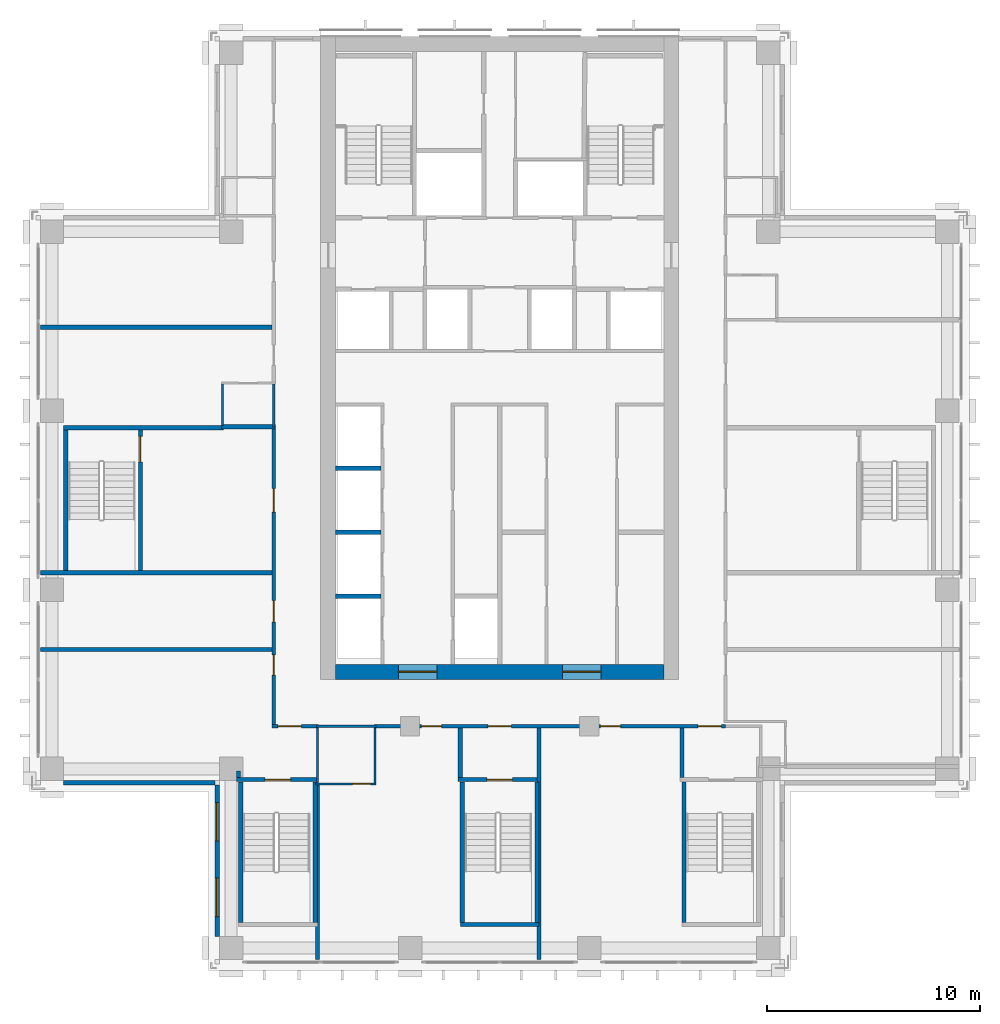
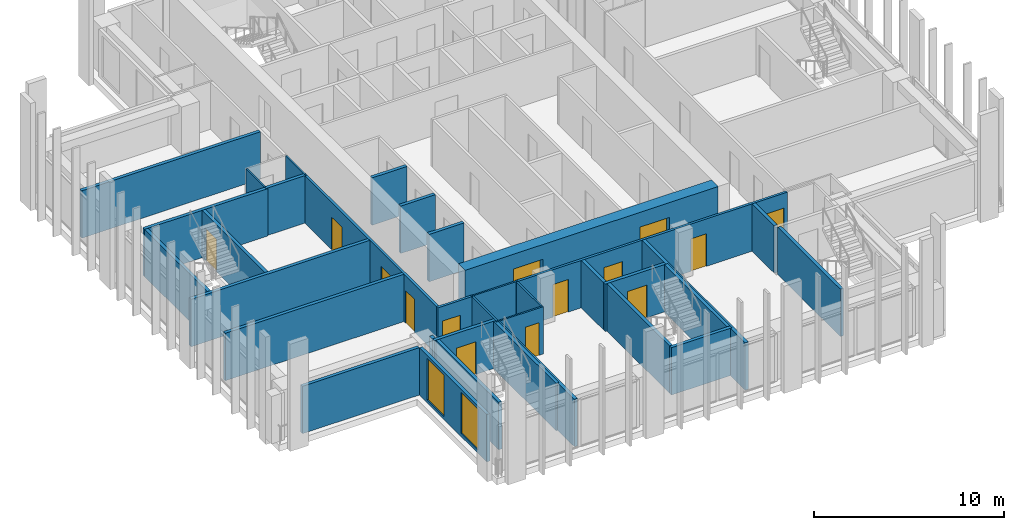
# One storey, part 9 of 16: 35 walls, 14 doors, 2 windows, 16 openings.
"""IFC4 building model written with IfcOpenShell, lengths in metres."""

from ifc_helpers import new_model, si_unit, direction, frame, frame_2d, origin, place, context, subcontext, project, spatial, rectangle, extrude, material, layer, layer_set, type_object, element, fill, save


model = new_model("IFC4")

# Units and contexts
model_context = context("Model", 3, precision=1e-05, world=origin(), true_north=direction((0.0, 1.0)))
body_context = subcontext(model_context, "Body", "Model", "MODEL_VIEW")
ifc_project = project(units=[si_unit("LENGTHUNIT", "METRE"), si_unit("AREAUNIT", "SQUARE_METRE"), si_unit("VOLUMEUNIT", "CUBIC_METRE"), si_unit("PLANEANGLEUNIT", "RADIAN"), si_unit("MASSUNIT", "GRAM", prefix="KILO")], contexts=[model_context])

# Site, building, storey
site_placement = place(None, origin())
site = spatial("IfcSite", under=ifc_project, at=site_placement, CompositionType="ELEMENT")
building_placement = place(site_placement, origin())
building = spatial("IfcBuilding", under=site, at=building_placement, Name="Vermilion Ogive Tower", CompositionType="ELEMENT")
storey_placement = place(building_placement, frame((0.0, 0.0, 143.449951171875)))
storey = spatial("IfcBuildingStorey", under=building, at=storey_placement, Name="L36", CompositionType="ELEMENT", Elevation=143.449951171875)

# Wall, openings, doors
ifc_material_1 = material(Name="Concrete B60", Category="concrete")
ifc_layer_1 = layer(ifc_material_1, 0.699951171875)
ifc_layer_set_1 = layer_set([ifc_layer_1], Name="Core wall 700 B60")
wall_type_1 = type_object("IfcWallType", Name="Core wall 700 B60", PredefinedType="SHEAR", material=ifc_layer_set_1)
wall_1_placement = place(storey_placement, frame((-7.699951171875, -8.050048828125, -0.39990234375), z_axis=(0.0, 0.0, 1.0), x_axis=(1.0, 0.0, 0.0)))
wall_1 = element("IfcWall", 1, at=wall_1_placement, inside=storey, type_object=wall_type_1, Name="L36-CORE-S", PredefinedType="SHEAR", context=body_context, shape_type="SweptSolid", body=[
    extrude(rectangle(XDim=15.39990234375, YDim=0.699951171875, at=frame_2d((7.699951171875, 0.0))), origin(), (0.0, 0.0, 1.0), 3.449951171875),
])
opening_1_placement = place(wall_1_placement, frame((2.949951171875, 0.0, 0.39990234375)))
opening_1 = element("IfcOpeningElement", 2, at=opening_1_placement, cuts=wall_1, Name="Opening DAH027", PredefinedType="OPENING", context=body_context, shape_type="SweptSolid", body=[
    extrude(rectangle(XDim=1.800048828125, YDim=2.10009765625, at=frame_2d((0.89990234375, 1.050048828125))), frame((0.0, 0.35986328125, 0.0), z_axis=(0.0, -1.0, 0.0), x_axis=(1.0, 0.0, 0.0)), (0.0, 0.0, 1.0), 0.719970703125),
])
opening_2_placement = place(wall_1_placement, frame((10.64990234375, 0.0, 0.39990234375)))
opening_2 = element("IfcOpeningElement", 3, at=opening_2_placement, cuts=wall_1, Name="Opening DAH028", PredefinedType="OPENING", context=body_context, shape_type="SweptSolid", body=[
    extrude(rectangle(XDim=1.800048828125, YDim=2.10009765625, at=frame_2d((0.89990234375, 1.050048828125))), frame((0.0, 0.35986328125, 0.0), z_axis=(0.0, -1.0, 0.0), x_axis=(1.0, 0.0, 0.0)), (0.0, 0.0, 1.0), 0.719970703125),
])
ifc_material_2 = material(Name="Timber door leaf", Category="wood")
door_type_1 = type_object("IfcDoorType", Name="Core entry door 1800 x 2100 FD60S", OperationType="DOUBLE_DOOR_SINGLE_SWING", PredefinedType="DOOR", material=ifc_material_2)
door_1_placement = place(opening_1_placement, origin())
door_1 = element("IfcDoor", 4, at=door_1_placement, inside=storey, type_object=door_type_1, Name="L36-CK-XD1", OperationType="SINGLE_SWING_LEFT", OverallHeight=2.10009765625, OverallWidth=1.800048828125, PredefinedType="DOOR", context=body_context, shape_type="SweptSolid", body=[
    extrude(rectangle(XDim=1.800048828125, YDim=2.10009765625, at=frame_2d((0.89990234375, 1.050048828125))), frame((0.0, 0.02490234375, 0.0), z_axis=(0.0, -1.0, 0.0), x_axis=(1.0, 0.0, 0.0)), (0.0, 0.0, 1.0), 0.050048828125),
])
fill(opening_1, door_1)
door_2_placement = place(opening_2_placement, origin())
door_2 = element("IfcDoor", 5, at=door_2_placement, inside=storey, type_object=door_type_1, Name="L36-CK-XD2", OperationType="SINGLE_SWING_LEFT", OverallHeight=2.10009765625, OverallWidth=1.800048828125, PredefinedType="DOOR", context=body_context, shape_type="SweptSolid", body=[
    extrude(rectangle(XDim=1.800048828125, YDim=2.10009765625, at=frame_2d((0.89990234375, 1.050048828125))), frame((0.0, 0.02490234375, 0.0), z_axis=(0.0, -1.0, 0.0), x_axis=(1.0, 0.0, 0.0)), (0.0, 0.0, 1.0), 0.050048828125),
])
fill(opening_2, door_2)

# Wall, opening, door
ifc_material_3 = material(Name="Gypsum board partition on steel studs", Category="steel")
ifc_layer_2 = layer(ifc_material_3, 0.10009765625)
ifc_layer_set_2 = layer_set([ifc_layer_2], Name="Partition 100 bath")
wall_type_2 = type_object("IfcWallType", Name="Partition 100 bath", PredefinedType="PARTITIONING", material=ifc_layer_set_2)
wall_2_placement = place(storey_placement, frame((-8.64990234375, -13.300048828125, 0.0), z_axis=(0.0, 0.0, 1.0), x_axis=(1.0, 0.0, 0.0)))
wall_2 = element("IfcWall", 6, at=wall_2_placement, inside=storey, type_object=wall_type_2, Name="L36-W-W004", PredefinedType="PARTITIONING", context=body_context, shape_type="SweptSolid", body=[
    extrude(rectangle(XDim=2.847900390625, YDim=0.10009765625, at=frame_2d((1.423828125, 0.0))), origin(), (0.0, 0.0, 1.0), 3.050048828125),
])
opening_3_placement = place(wall_2_placement, frame((1.75, 0.0, 0.0)))
opening_3 = element("IfcOpeningElement", 7, at=opening_3_placement, cuts=wall_2, Name="Opening D3G2008", PredefinedType="OPENING", context=body_context, shape_type="SweptSolid", body=[
    extrude(rectangle(XDim=0.85009765625, YDim=2.10009765625, at=frame_2d((0.425048828125, 1.050048828125))), frame((0.0, 0.06005859375, 0.0), z_axis=(0.0, -1.0, 0.0), x_axis=(1.0, 0.0, 0.0)), (0.0, 0.0, 1.0), 0.1201171875),
])
ifc_material_4 = material(Name="Timber door leaf", Category="wood")
door_type_2 = type_object("IfcDoorType", Name="Bath door 850 x 2100 FD30", OperationType="SINGLE_SWING_LEFT", PredefinedType="DOOR", material=ifc_material_4)
door_3_placement = place(opening_3_placement, origin())
door_3 = element("IfcDoor", 8, at=door_3_placement, inside=storey, type_object=door_type_2, Name="L36-D-D008", OperationType="SINGLE_SWING_RIGHT", OverallHeight=2.10009765625, OverallWidth=0.85009765625, PredefinedType="DOOR", context=body_context, shape_type="SweptSolid", body=[
    extrude(rectangle(XDim=0.85009765625, YDim=2.10009765625, at=frame_2d((0.425048828125, 1.050048828125))), frame((0.0, 0.02490234375, 0.0), z_axis=(0.0, -1.0, 0.0), x_axis=(1.0, 0.0, 0.0)), (0.0, 0.0, 1.0), 0.050048828125),
])
fill(opening_3, door_3)

# Walls
wall_3_placement = place(storey_placement, frame((-8.60009765625, -10.60009765625, 0.0), z_axis=(0.0, 0.0, 1.0), x_axis=(1.0, 0.0, 0.0)))
element("IfcWall", 9, at=wall_3_placement, inside=storey, type_object=wall_type_2, Name="L36-W-W011", PredefinedType="PARTITIONING", context=body_context, shape_type="SweptSolid", body=[
    extrude(rectangle(XDim=2.800048828125, YDim=0.10009765625, at=frame_2d((1.39990234375, 0.0))), origin(), (0.0, 0.0, 1.0), 3.050048828125),
])
wall_4_placement = place(storey_placement, frame((-13.0, 3.5, 0.0), z_axis=(0.0, 0.0, 1.0), x_axis=(0.0, 1.0, 0.0)))
element("IfcWall", 10, at=wall_4_placement, inside=storey, type_object=wall_type_2, Name="L36-W-W035", PredefinedType="PARTITIONING", context=body_context, shape_type="SweptSolid", body=[
    extrude(rectangle(XDim=1.947998046875, YDim=0.10009765625, at=frame_2d((0.97412109375, 0.0))), origin(), (0.0, 0.0, 1.0), 3.050048828125),
])
wall_5_placement = place(storey_placement, frame((-10.60009765625, 3.449951171875, 0.0), z_axis=(0.0, 0.0, 1.0), x_axis=(0.0, 1.0, 0.0)))
element("IfcWall", 11, at=wall_5_placement, inside=storey, type_object=wall_type_2, Name="L36-W-W040", PredefinedType="PARTITIONING", context=body_context, shape_type="SweptSolid", body=[
    extrude(rectangle(XDim=2.0, YDim=0.10009765625, at=frame_2d((1.0, 0.0))), origin(), (0.0, 0.0, 1.0), 3.050048828125),
])
wall_6_placement = place(storey_placement, frame((-8.550048828125, -13.25, 0.0), z_axis=(0.0, 0.0, 1.0), x_axis=(0.0, 1.0, 0.0)))
element("IfcWall", 12, at=wall_6_placement, inside=storey, type_object=wall_type_2, Name="L36-W-W046", PredefinedType="PARTITIONING", context=body_context, shape_type="SweptSolid", body=[
    extrude(rectangle(XDim=2.574951171875, YDim=0.10009765625, at=frame_2d((1.28759765625, 0.0))), origin(), (0.0, 0.0, 1.0), 3.050048828125),
])
wall_7_placement = place(storey_placement, frame((-5.85009765625, -13.248046875, 0.0), z_axis=(0.0, 0.0, 1.0), x_axis=(0.0, 1.0, 0.0)))
element("IfcWall", 13, at=wall_7_placement, inside=storey, type_object=wall_type_2, Name="L36-W-W047", PredefinedType="PARTITIONING", context=body_context, shape_type="SweptSolid", body=[
    extrude(rectangle(XDim=2.572998046875, YDim=0.10009765625, at=frame_2d((1.28662109375, 0.0))), origin(), (0.0, 0.0, 1.0), 3.050048828125),
])

# Wall, opening, door
ifc_material_5 = material(Name="Gypsum board partition on steel studs", Category="steel")
ifc_layer_3 = layer(ifc_material_5, 0.14990234375)
ifc_layer_set_3 = layer_set([ifc_layer_3], Name="Partition 150 corridor")
wall_type_3 = type_object("IfcWallType", Name="Partition 150 corridor", PredefinedType="PARTITIONING", material=ifc_layer_set_3)
wall_8_placement = place(storey_placement, frame((-10.675048828125, -10.60009765625, 0.0), z_axis=(0.0, 0.0, 1.0), x_axis=(1.0, 0.0, 0.0)))
wall_8 = element("IfcWall", 14, at=wall_8_placement, inside=storey, type_object=wall_type_3, Name="L36-W-W010", PredefinedType="PARTITIONING", context=body_context, shape_type="SweptSolid", body=[
    extrude(rectangle(XDim=2.175048828125, YDim=0.14990234375, at=frame_2d((1.08740234375, 0.0))), origin(), (0.0, 0.0, 1.0), 3.050048828125),
])
opening_4_placement = place(wall_8_placement, frame((0.275146484375, 0.0, 0.0)))
opening_4 = element("IfcOpeningElement", 15, at=opening_4_placement, cuts=wall_8, Name="Opening D3G2017", PredefinedType="OPENING", context=body_context, shape_type="SweptSolid", body=[
    extrude(rectangle(XDim=1.10009765625, YDim=2.10009765625, at=frame_2d((0.550048828125, 1.050048828125))), frame((0.0, 0.0849609375, 0.0), z_axis=(0.0, -1.0, 0.0), x_axis=(1.0, 0.0, 0.0)), (0.0, 0.0, 1.0), 0.169921875),
])
ifc_material_6 = material(Name="Timber door leaf", Category="wood")
door_type_3 = type_object("IfcDoorType", Name="Stair door 1100 x 2100 FD60S", OperationType="SINGLE_SWING_LEFT", PredefinedType="DOOR", material=ifc_material_6)
door_4_placement = place(opening_4_placement, origin())
door_4 = element("IfcDoor", 16, at=door_4_placement, inside=storey, type_object=door_type_3, Name="L36-D-D017", OperationType="SINGLE_SWING_RIGHT", OverallHeight=2.10009765625, OverallWidth=1.10009765625, PredefinedType="DOOR", context=body_context, shape_type="SweptSolid", body=[
    extrude(rectangle(XDim=1.10009765625, YDim=2.10009765625, at=frame_2d((0.550048828125, 1.050048828125))), frame((0.0, 0.02490234375, 0.0), z_axis=(0.0, -1.0, 0.0), x_axis=(1.0, 0.0, 0.0)), (0.0, 0.0, 1.0), 0.050048828125),
])
fill(opening_4, door_4)

# Wall, openings, doors
wall_9_placement = place(storey_placement, frame((-5.89990234375, -10.60009765625, 0.0), z_axis=(0.0, 0.0, 1.0), x_axis=(1.0, 0.0, 0.0)))
wall_9 = element("IfcWall", 17, at=wall_9_placement, inside=storey, type_object=wall_type_3, Name="L36-W-W012", PredefinedType="PARTITIONING", context=body_context, shape_type="SweptSolid", body=[
    extrude(rectangle(XDim=16.5, YDim=0.14990234375, at=frame_2d((8.25, 0.0))), origin(), (0.0, 0.0, 1.0), 3.050048828125),
])
opening_5_placement = place(wall_9_placement, frame((2.224853515625, 0.0, 0.0)))
opening_5 = element("IfcOpeningElement", 18, at=opening_5_placement, cuts=wall_9, Name="Opening D3G2007", PredefinedType="OPENING", context=body_context, shape_type="SweptSolid", body=[
    extrude(rectangle(XDim=0.949951171875, YDim=2.10009765625, at=frame_2d((0.47509765625, 1.050048828125))), frame((0.0, 0.0849609375, 0.0), z_axis=(0.0, -1.0, 0.0), x_axis=(1.0, 0.0, 0.0)), (0.0, 0.0, 1.0), 0.169921875),
])
opening_6_placement = place(wall_9_placement, frame((10.625, 0.0, 0.0)))
opening_6 = element("IfcOpeningElement", 19, at=opening_6_placement, cuts=wall_9, Name="Opening D3G2009", PredefinedType="OPENING", context=body_context, shape_type="SweptSolid", body=[
    extrude(rectangle(XDim=0.949951171875, YDim=2.10009765625, at=frame_2d((0.47509765625, 1.050048828125))), frame((0.0, 0.0849609375, 0.0), z_axis=(0.0, -1.0, 0.0), x_axis=(1.0, 0.0, 0.0)), (0.0, 0.0, 1.0), 0.169921875),
])
opening_7_placement = place(wall_9_placement, frame((5.349853515625, 0.0, 0.0)))
opening_7 = element("IfcOpeningElement", 20, at=opening_7_placement, cuts=wall_9, Name="Opening D3G2019", PredefinedType="OPENING", context=body_context, shape_type="SweptSolid", body=[
    extrude(rectangle(XDim=1.10009765625, YDim=2.10009765625, at=frame_2d((0.550048828125, 1.050048828125))), frame((0.0, 0.0849609375, 0.0), z_axis=(0.0, -1.0, 0.0), x_axis=(1.0, 0.0, 0.0)), (0.0, 0.0, 1.0), 0.169921875),
])
opening_8_placement = place(wall_9_placement, frame((15.199951171875, 0.0, 0.0)))
opening_8 = element("IfcOpeningElement", 21, at=opening_8_placement, cuts=wall_9, Name="Opening D3G2021", PredefinedType="OPENING", context=body_context, shape_type="SweptSolid", body=[
    extrude(rectangle(XDim=1.10009765625, YDim=2.10009765625, at=frame_2d((0.550048828125, 1.050048828125))), frame((0.0, 0.0849609375, 0.0), z_axis=(0.0, -1.0, 0.0), x_axis=(1.0, 0.0, 0.0)), (0.0, 0.0, 1.0), 0.169921875),
])
door_5_placement = place(opening_7_placement, origin())
door_5 = element("IfcDoor", 22, at=door_5_placement, inside=storey, type_object=door_type_3, Name="L36-D-D019", OperationType="SINGLE_SWING_LEFT", OverallHeight=2.10009765625, OverallWidth=1.10009765625, PredefinedType="DOOR", context=body_context, shape_type="SweptSolid", body=[
    extrude(rectangle(XDim=1.10009765625, YDim=2.10009765625, at=frame_2d((0.550048828125, 1.050048828125))), frame((0.0, 0.02490234375, 0.0), z_axis=(0.0, -1.0, 0.0), x_axis=(1.0, 0.0, 0.0)), (0.0, 0.0, 1.0), 0.050048828125),
])
fill(opening_7, door_5)
door_6_placement = place(opening_8_placement, origin())
door_6 = element("IfcDoor", 23, at=door_6_placement, inside=storey, type_object=door_type_3, Name="L36-D-D021", OperationType="SINGLE_SWING_RIGHT", OverallHeight=2.10009765625, OverallWidth=1.10009765625, PredefinedType="DOOR", context=body_context, shape_type="SweptSolid", body=[
    extrude(rectangle(XDim=1.10009765625, YDim=2.10009765625, at=frame_2d((0.550048828125, 1.050048828125))), frame((0.0, 0.02490234375, 0.0), z_axis=(0.0, -1.0, 0.0), x_axis=(1.0, 0.0, 0.0)), (0.0, 0.0, 1.0), 0.050048828125),
])
fill(opening_8, door_6)
ifc_material_7 = material(Name="Timber door leaf", Category="wood")
door_type_4 = type_object("IfcDoorType", Name="Unit door 950 x 2100 FD30S", OperationType="SINGLE_SWING_LEFT", PredefinedType="DOOR", material=ifc_material_7)
door_7_placement = place(opening_5_placement, origin())
door_7 = element("IfcDoor", 24, at=door_7_placement, inside=storey, type_object=door_type_4, Name="L36-D-D007", OperationType="SINGLE_SWING_LEFT", OverallHeight=2.10009765625, OverallWidth=0.949951171875, PredefinedType="DOOR", context=body_context, shape_type="SweptSolid", body=[
    extrude(rectangle(XDim=0.949951171875, YDim=2.10009765625, at=frame_2d((0.47509765625, 1.050048828125))), frame((0.0, 0.02490234375, 0.0), z_axis=(0.0, -1.0, 0.0), x_axis=(1.0, 0.0, 0.0)), (0.0, 0.0, 1.0), 0.050048828125),
])
fill(opening_5, door_7)
door_8_placement = place(opening_6_placement, origin())
door_8 = element("IfcDoor", 25, at=door_8_placement, inside=storey, type_object=door_type_4, Name="L36-D-D009", OperationType="SINGLE_SWING_RIGHT", OverallHeight=2.10009765625, OverallWidth=0.949951171875, PredefinedType="DOOR", context=body_context, shape_type="SweptSolid", body=[
    extrude(rectangle(XDim=0.949951171875, YDim=2.10009765625, at=frame_2d((0.47509765625, 1.050048828125))), frame((0.0, 0.02490234375, 0.0), z_axis=(0.0, -1.0, 0.0), x_axis=(1.0, 0.0, 0.0)), (0.0, 0.0, 1.0), 0.050048828125),
])
fill(opening_6, door_8)

wall_10_placement = place(storey_placement, frame((-10.60009765625, -10.52490234375, 0.0), z_axis=(0.0, 0.0, 1.0), x_axis=(0.0, 1.0, 0.0)))
wall_10 = element("IfcWall", 26, at=wall_10_placement, inside=storey, type_object=wall_type_3, Name="L36-W-W039", PredefinedType="PARTITIONING", context=body_context, shape_type="SweptSolid", body=[
    extrude(rectangle(XDim=13.875, YDim=0.14990234375, at=frame_2d((6.9375, 0.0))), origin(), (0.0, 0.0, 1.0), 3.050048828125),
])
opening_9_placement = place(wall_10_placement, frame((2.324951171875, 0.0, 0.0)))
opening_9 = element("IfcOpeningElement", 27, at=opening_9_placement, cuts=wall_10, Name="Opening D3G2001", PredefinedType="OPENING", context=body_context, shape_type="SweptSolid", body=[
    extrude(rectangle(XDim=0.949951171875, YDim=2.10009765625, at=frame_2d((0.47509765625, 1.050048828125))), frame((0.0, 0.0849609375, 0.0), z_axis=(0.0, -1.0, 0.0), x_axis=(1.0, 0.0, 0.0)), (0.0, 0.0, 1.0), 0.169921875),
])
opening_10_placement = place(wall_10_placement, frame((9.974853515625, 0.0, 0.0)))
opening_10 = element("IfcOpeningElement", 28, at=opening_10_placement, cuts=wall_10, Name="Opening D3G2025", PredefinedType="OPENING", context=body_context, shape_type="SweptSolid", body=[
    extrude(rectangle(XDim=1.10009765625, YDim=2.10009765625, at=frame_2d((0.550048828125, 1.050048828125))), frame((0.0, 0.0849609375, 0.0), z_axis=(0.0, -1.0, 0.0), x_axis=(1.0, 0.0, 0.0)), (0.0, 0.0, 1.0), 0.169921875),
])
opening_11_placement = place(wall_10_placement, frame((4.824951171875, 0.0, 0.0)))
opening_11 = element("IfcOpeningElement", 29, at=opening_11_placement, cuts=wall_10, Name="Opening D3G2027", PredefinedType="OPENING", context=body_context, shape_type="SweptSolid", body=[
    extrude(rectangle(XDim=1.0, YDim=2.10009765625, at=frame_2d((0.5, 1.050048828125))), frame((0.0, 0.0849609375, 0.0), z_axis=(0.0, -1.0, 0.0), x_axis=(1.0, 0.0, 0.0)), (0.0, 0.0, 1.0), 0.169921875),
])
door_9_placement = place(opening_10_placement, origin())
door_9 = element("IfcDoor", 30, at=door_9_placement, inside=storey, type_object=door_type_3, Name="L36-D-D025", OperationType="SINGLE_SWING_RIGHT", OverallHeight=2.10009765625, OverallWidth=1.10009765625, PredefinedType="DOOR", context=body_context, shape_type="SweptSolid", body=[
    extrude(rectangle(XDim=1.10009765625, YDim=2.10009765625, at=frame_2d((0.550048828125, 1.050048828125))), frame((0.0, 0.02490234375, 0.0), z_axis=(0.0, -1.0, 0.0), x_axis=(1.0, 0.0, 0.0)), (0.0, 0.0, 1.0), 0.050048828125),
])
fill(opening_10, door_9)
ifc_material_8 = material(Name="Timber door leaf", Category="wood")
door_type_5 = type_object("IfcDoorType", Name="Unit door 1000 x 2100 FD30S", OperationType="SINGLE_SWING_LEFT", PredefinedType="DOOR", material=ifc_material_8)
door_10_placement = place(opening_11_placement, origin())
door_10 = element("IfcDoor", 31, at=door_10_placement, inside=storey, type_object=door_type_5, Name="L36-D-D027", OperationType="SINGLE_SWING_RIGHT", OverallHeight=2.10009765625, OverallWidth=1.0, PredefinedType="DOOR", context=body_context, shape_type="SweptSolid", body=[
    extrude(rectangle(XDim=1.0, YDim=2.10009765625, at=frame_2d((0.5, 1.050048828125))), frame((0.0, 0.02490234375, 0.0), z_axis=(0.0, -1.0, 0.0), x_axis=(1.0, 0.0, 0.0)), (0.0, 0.0, 1.0), 0.050048828125),
])
fill(opening_11, door_10)
door_11_placement = place(opening_9_placement, origin())
door_11 = element("IfcDoor", 32, at=door_11_placement, inside=storey, type_object=door_type_4, Name="L36-D-D001", OperationType="SINGLE_SWING_RIGHT", OverallHeight=2.10009765625, OverallWidth=0.949951171875, PredefinedType="DOOR", context=body_context, shape_type="SweptSolid", body=[
    extrude(rectangle(XDim=0.949951171875, YDim=2.10009765625, at=frame_2d((0.47509765625, 1.050048828125))), frame((0.0, 0.02490234375, 0.0), z_axis=(0.0, -1.0, 0.0), x_axis=(1.0, 0.0, 0.0)), (0.0, 0.0, 1.0), 0.050048828125),
])
fill(opening_9, door_11)

# Walls
ifc_material_9 = material(Name="Gypsum board partition on steel studs", Category="steel")
ifc_layer_4 = layer(ifc_material_9, 0.199951171875)
ifc_layer_set_4 = layer_set([ifc_layer_4], Name="Partition 200 party")
wall_type_4 = type_object("IfcWallType", Name="Partition 200 party", PredefinedType="PARTITIONING", material=ifc_layer_set_4)
for number, where, z_axis, x_axis, name in (
    (33, (-21.550048828125, -7.0, 0.0), (0.0, 0.0, 1.0), (1.0, 0.0, 0.0), "L36-W-W015"),
    (34, (-21.550048828125, 8.1201171875, 0.0), (0.0, 0.0, 1.0), (1.0, 0.0, 0.0), "L36-W-W023"),
):
    element("IfcWall", number, at=place(storey_placement, frame(where, z_axis=z_axis, x_axis=x_axis)), inside=storey, type_object=wall_type_4, Name=name, PredefinedType="PARTITIONING", context=body_context, shape_type="SweptSolid", body=[
        extrude(rectangle(XDim=10.875, YDim=0.199951171875, at=frame_2d((5.4375, 0.0))), origin(), (0.0, 0.0, 1.0), 3.050048828125),
    ])
wall_11_placement = place(storey_placement, frame((-12.25, -12.998046875, 0.0), z_axis=(0.0, 0.0, 1.0), x_axis=(0.0, 1.0, 0.0)))
element("IfcWall", 35, at=wall_11_placement, inside=storey, type_object=wall_type_4, Name="L36-W-W037", PredefinedType="PARTITIONING", context=body_context, shape_type="SweptSolid", body=[
    extrude(rectangle(XDim=0.30615234375, YDim=0.199951171875, at=frame_2d((0.153076171875, 0.0))), origin(), (0.0, 0.0, 1.0), 3.050048828125),
])
for number, where, z_axis, x_axis, name in (
    (36, (-1.85009765625, -12.998046875, 0.0), (0.0, 0.0, 1.0), (0.0, 1.0, 0.0), "L36-W-W048"),
    (37, (8.550048828125, -12.998046875, 0.0), (0.0, 0.0, 1.0), (0.0, 1.0, 0.0), "L36-W-W052"),
):
    element("IfcWall", number, at=place(storey_placement, frame(where, z_axis=z_axis, x_axis=x_axis)), inside=storey, type_object=wall_type_4, Name=name, PredefinedType="PARTITIONING", context=body_context, shape_type="SweptSolid", body=[
        extrude(rectangle(XDim=2.322998046875, YDim=0.199951171875, at=frame_2d((1.16162109375, 0.0))), origin(), (0.0, 0.0, 1.0), 3.050048828125),
    ])
for number, where, z_axis, x_axis, name in (
    (38, (-7.698974609375, -4.5, 0.0), (0.0, 0.0, 1.0), (1.0, 0.0, 0.0), "L36-CK-W-W001"),
    (39, (-7.698974609375, -1.5, 0.0), (0.0, 0.0, 1.0), (1.0, 0.0, 0.0), "L36-CK-W-W003"),
    (40, (-7.698974609375, 1.5, 0.0), (0.0, 0.0, 1.0), (1.0, 0.0, 0.0), "L36-CK-W-W006"),
):
    element("IfcWall", number, at=place(storey_placement, frame(where, z_axis=z_axis, x_axis=x_axis)), inside=storey, type_object=wall_type_4, Name=name, PredefinedType="PARTITIONING", context=body_context, shape_type="SweptSolid", body=[
        extrude(rectangle(XDim=2.1240234375, YDim=0.199951171875, at=frame_2d((1.06201171875, 0.0))), origin(), (0.0, 0.0, 1.0), 3.050048828125),
    ])
ifc_material_10 = material(Name="Concrete B60", Category="concrete")
ifc_layer_5 = layer(ifc_material_10, 0.199951171875)
ifc_layer_set_5 = layer_set([ifc_layer_5], Name="Stair shaft wall 200 Concrete B60")
wall_type_5 = type_object("IfcWallType", Name="Stair shaft wall 200 Concrete B60", PredefinedType="SOLIDWALL", material=ifc_layer_set_5)
wall_12_placement = place(storey_placement, frame((-1.847900390625, -19.89990234375, 0.0), z_axis=(0.0, 0.0, 1.0), x_axis=(1.0, 0.0, 0.0)))
element("IfcWall", 41, at=wall_12_placement, inside=storey, type_object=wall_type_5, Name="L36-W-W002", PredefinedType="SOLIDWALL", context=body_context, shape_type="SweptSolid", body=[
    extrude(rectangle(XDim=3.69580078125, YDim=0.199951171875, at=frame_2d((1.847900390625, 0.0))), origin(), (0.0, 0.0, 1.0), 3.050048828125),
])

# Wall, opening, door
wall_13_placement = place(storey_placement, frame((-12.347900390625, -13.10009765625, 0.0), z_axis=(0.0, 0.0, 1.0), x_axis=(1.0, 0.0, 0.0)))
wall_13 = element("IfcWall", 42, at=wall_13_placement, inside=storey, type_object=wall_type_5, Name="L36-W-W005", PredefinedType="SOLIDWALL", context=body_context, shape_type="SweptSolid", body=[
    extrude(rectangle(XDim=3.745849609375, YDim=0.199951171875, at=frame_2d((1.873046875, 0.0))), origin(), (0.0, 0.0, 1.0), 3.050048828125),
])
opening_12_placement = place(wall_13_placement, frame((1.347900390625, 0.0, 0.0)))
opening_12 = element("IfcOpeningElement", 43, at=opening_12_placement, cuts=wall_13, Name="Opening D3G2018", PredefinedType="OPENING", context=body_context, shape_type="SweptSolid", body=[
    extrude(rectangle(XDim=1.199951171875, YDim=2.10009765625, at=frame_2d((0.60009765625, 1.050048828125))), frame((0.0, 0.10986328125, 0.0), z_axis=(0.0, -1.0, 0.0), x_axis=(1.0, 0.0, 0.0)), (0.0, 0.0, 1.0), 0.219970703125),
])
ifc_material_11 = material(Name="Timber door leaf", Category="wood")
door_type_6 = type_object("IfcDoorType", Name="Stair door 1200 x 2100 FD60S", OperationType="SINGLE_SWING_LEFT", PredefinedType="DOOR", material=ifc_material_11)
door_12_placement = place(opening_12_placement, origin())
door_12 = element("IfcDoor", 44, at=door_12_placement, inside=storey, type_object=door_type_6, Name="L36-D-D018", OperationType="SINGLE_SWING_RIGHT", OverallHeight=2.10009765625, OverallWidth=1.199951171875, PredefinedType="DOOR", context=body_context, shape_type="SweptSolid", body=[
    extrude(rectangle(XDim=1.199951171875, YDim=2.10009765625, at=frame_2d((0.60009765625, 1.050048828125))), frame((0.0, 0.02490234375, 0.0), z_axis=(0.0, -1.0, 0.0), x_axis=(1.0, 0.0, 0.0)), (0.0, 0.0, 1.0), 0.050048828125),
])
fill(opening_12, door_12)

wall_14_placement = place(storey_placement, frame((-1.947998046875, -13.10009765625, 0.0), z_axis=(0.0, 0.0, 1.0), x_axis=(1.0, 0.0, 0.0)))
wall_14 = element("IfcWall", 45, at=wall_14_placement, inside=storey, type_object=wall_type_5, Name="L36-W-W006", PredefinedType="SOLIDWALL", context=body_context, shape_type="SweptSolid", body=[
    extrude(rectangle(XDim=3.696044921875, YDim=0.199951171875, at=frame_2d((1.84814453125, 0.0))), origin(), (0.0, 0.0, 1.0), 3.050048828125),
])
opening_13_placement = place(wall_14_placement, frame((1.347900390625, 0.0, 0.0)))
opening_13 = element("IfcOpeningElement", 46, at=opening_13_placement, cuts=wall_14, Name="Opening D3G2020", PredefinedType="OPENING", context=body_context, shape_type="SweptSolid", body=[
    extrude(rectangle(XDim=1.199951171875, YDim=2.10009765625, at=frame_2d((0.60009765625, 1.050048828125))), frame((0.0, 0.10986328125, 0.0), z_axis=(0.0, -1.0, 0.0), x_axis=(1.0, 0.0, 0.0)), (0.0, 0.0, 1.0), 0.219970703125),
])
door_13_placement = place(opening_13_placement, origin())
door_13 = element("IfcDoor", 47, at=door_13_placement, inside=storey, type_object=door_type_6, Name="L36-D-D020", OperationType="SINGLE_SWING_RIGHT", OverallHeight=2.10009765625, OverallWidth=1.199951171875, PredefinedType="DOOR", context=body_context, shape_type="SweptSolid", body=[
    extrude(rectangle(XDim=1.199951171875, YDim=2.10009765625, at=frame_2d((0.60009765625, 1.050048828125))), frame((0.0, 0.02490234375, 0.0), z_axis=(0.0, -1.0, 0.0), x_axis=(1.0, 0.0, 0.0)), (0.0, 0.0, 1.0), 0.050048828125),
])
fill(opening_13, door_13)

# Walls
wall_15_placement = place(storey_placement, frame((-20.447998046875, 3.39990234375, 0.0), z_axis=(0.0, 0.0, 1.0), x_axis=(1.0, 0.0, 0.0)))
element("IfcWall", 48, at=wall_15_placement, inside=storey, type_object=wall_type_5, Name="L36-W-W019", PredefinedType="SOLIDWALL", context=body_context, shape_type="SweptSolid", body=[
    extrude(rectangle(XDim=7.498046875, YDim=0.199951171875, at=frame_2d((3.7490234375, 0.0))), origin(), (0.0, 0.0, 1.0), 3.050048828125),
])
wall_16_placement = place(storey_placement, frame((-13.050048828125, 3.449951171875, 0.0), z_axis=(0.0, 0.0, 1.0), x_axis=(1.0, 0.0, 0.0)))
element("IfcWall", 49, at=wall_16_placement, inside=storey, type_object=wall_type_5, Name="L36-W-W020", PredefinedType="SOLIDWALL", context=body_context, shape_type="SweptSolid", body=[
    extrude(rectangle(XDim=2.525146484375, YDim=0.199951171875, at=frame_2d((1.2626953125, 0.0))), origin(), (0.0, 0.0, 1.0), 3.050048828125),
])
wall_17_placement = place(storey_placement, frame((-20.35009765625, -3.298095703125, 0.0), z_axis=(0.0, 0.0, 1.0), x_axis=(0.0, 1.0, 0.0)))
element("IfcWall", 50, at=wall_17_placement, inside=storey, type_object=wall_type_5, Name="L36-W-W033", PredefinedType="SOLIDWALL", context=body_context, shape_type="SweptSolid", body=[
    extrude(rectangle(XDim=6.59619140625, YDim=0.199951171875, at=frame_2d((3.298095703125, 0.0))), origin(), (0.0, 0.0, 1.0), 3.050048828125),
])

# Wall, opening, door
wall_18_placement = place(storey_placement, frame((-16.85009765625, -3.300048828125, 0.0), z_axis=(0.0, 0.0, 1.0), x_axis=(0.0, 1.0, 0.0)))
wall_18 = element("IfcWall", 51, at=wall_18_placement, inside=storey, type_object=wall_type_5, Name="L36-W-W034", PredefinedType="SOLIDWALL", context=body_context, shape_type="SweptSolid", body=[
    extrude(rectangle(XDim=6.60009765625, YDim=0.199951171875, at=frame_2d((3.300048828125, 0.0))), origin(), (0.0, 0.0, 1.0), 3.050048828125),
])
opening_14_placement = place(wall_18_placement, frame((5.10009765625, 0.0, 0.0)))
opening_14 = element("IfcOpeningElement", 52, at=opening_14_placement, cuts=wall_18, Name="Opening D3G2026", PredefinedType="OPENING", context=body_context, shape_type="SweptSolid", body=[
    extrude(rectangle(XDim=1.199951171875, YDim=2.10009765625, at=frame_2d((0.60009765625, 1.050048828125))), frame((0.0, 0.10986328125, 0.0), z_axis=(0.0, -1.0, 0.0), x_axis=(1.0, 0.0, 0.0)), (0.0, 0.0, 1.0), 0.219970703125),
])
door_14_placement = place(opening_14_placement, origin())
door_14 = element("IfcDoor", 53, at=door_14_placement, inside=storey, type_object=door_type_6, Name="L36-D-D026", OperationType="SINGLE_SWING_RIGHT", OverallHeight=2.10009765625, OverallWidth=1.199951171875, PredefinedType="DOOR", context=body_context, shape_type="SweptSolid", body=[
    extrude(rectangle(XDim=1.199951171875, YDim=2.10009765625, at=frame_2d((0.60009765625, 1.050048828125))), frame((0.0, 0.02490234375, 0.0), z_axis=(0.0, -1.0, 0.0), x_axis=(1.0, 0.0, 0.0)), (0.0, 0.0, 1.0), 0.050048828125),
])
fill(opening_14, door_14)

# Walls
for number, where, z_axis, x_axis, name in (
    (54, (-12.14990234375, -19.798095703125, 0.0), (0.0, 0.0, 1.0), (0.0, 1.0, 0.0), "L36-W-W038"),
    (55, (-8.64990234375, -19.798095703125, 0.0), (0.0, 0.0, 1.0), (0.0, 1.0, 0.0), "L36-W-W044"),
    (56, (-1.75, -19.798095703125, 0.0), (0.0, 0.0, 1.0), (0.0, 1.0, 0.0), "L36-W-W049"),
    (57, (1.75, -19.798095703125, 0.0), (0.0, 0.0, 1.0), (0.0, 1.0, 0.0), "L36-W-W050"),
    (58, (8.64990234375, -19.798095703125, 0.0), (0.0, 0.0, 1.0), (0.0, 1.0, 0.0), "L36-W-W053"),
):
    element("IfcWall", number, at=place(storey_placement, frame(where, z_axis=z_axis, x_axis=x_axis)), inside=storey, type_object=wall_type_5, Name=name, PredefinedType="SOLIDWALL", context=body_context, shape_type="SweptSolid", body=[
        extrude(rectangle(XDim=6.59619140625, YDim=0.199951171875, at=frame_2d((3.298095703125, 0.0))), origin(), (0.0, 0.0, 1.0), 3.050048828125),
    ])
wall_19_placement = place(storey_placement, frame((1.85009765625, -21.550048828125, 0.0), z_axis=(0.0, 0.0, 1.0), x_axis=(0.0, 1.0, 0.0)))
element("IfcWall", 59, at=wall_19_placement, inside=storey, type_object=wall_type_5, Name="L36-W-W051-A", PredefinedType="SOLIDWALL", context=body_context, shape_type="SweptSolid", body=[
    extrude(rectangle(XDim=10.875, YDim=0.199951171875, at=frame_2d((5.4375, 0.0))), origin(), (0.0, 0.0, 1.0), 3.050048828125),
])
wall_20_placement = place(storey_placement, frame((-8.550048828125, -21.550048828125, 0.0), z_axis=(0.0, 0.0, 1.0), x_axis=(0.0, 1.0, 0.0)))
element("IfcWall", 60, at=wall_20_placement, inside=storey, type_object=wall_type_5, Name="L36-W-W045-A", PredefinedType="SOLIDWALL", context=body_context, shape_type="SweptSolid", body=[
    extrude(rectangle(XDim=8.199951171875, YDim=0.199951171875, at=frame_2d((4.10009765625, 0.0))), origin(), (0.0, 0.0, 1.0), 3.050048828125),
])
wall_21_placement = place(storey_placement, frame((-21.550048828125, -3.39990234375, 0.0), z_axis=(0.0, 0.0, 1.0), x_axis=(1.0, 0.0, 0.0)))
element("IfcWall", 61, at=wall_21_placement, inside=storey, type_object=wall_type_5, Name="L36-W-W017-A", PredefinedType="SOLIDWALL", context=body_context, shape_type="SweptSolid", body=[
    extrude(rectangle(XDim=10.875, YDim=0.199951171875, at=frame_2d((5.4375, 0.0))), origin(), (0.0, 0.0, 1.0), 3.050048828125),
])
ifc_material_12 = material(Name="Aluminium window wall framing", Category="aluminium")
ifc_layer_6 = layer(ifc_material_12, 0.199951171875)
ifc_layer_set_6 = layer_set([ifc_layer_6], Name="Window wall")
wall_type_6 = type_object("IfcWallType", Name="Window wall", PredefinedType="STANDARD", material=ifc_layer_set_6)
wall_22_placement = place(storey_placement, frame((-20.449951171875, -13.25, 0.0), z_axis=(0.0, 0.0, 1.0), x_axis=(1.0, 0.0, 0.0)))
element("IfcWall", 62, at=wall_22_placement, inside=storey, type_object=wall_type_6, Name="Window wall X71", PredefinedType="STANDARD", context=body_context, shape_type="SweptSolid", body=[
    extrude(rectangle(XDim=7.099853515625, YDim=0.199951171875, at=frame_2d((3.5498046875, 0.0))), origin(), (0.0, 0.0, 1.0), 3.050048828125),
])

# Wall, openings, windows
wall_23_placement = place(storey_placement, frame((-13.25, -13.35009765625, 0.0), z_axis=(0.0, 0.0, 1.0), x_axis=(0.0, -1.0, 0.0)))
wall_23 = element("IfcWall", 63, at=wall_23_placement, inside=storey, type_object=wall_type_6, Name="Window wall X81", PredefinedType="STANDARD", context=body_context, shape_type="SweptSolid", body=[
    extrude(rectangle(XDim=7.099853515625, YDim=0.199951171875, at=frame_2d((3.5498046875, 0.0))), origin(), (0.0, 0.0, 1.0), 3.050048828125),
])
opening_15_placement = place(wall_23_placement, frame((4.375, 0.0, 0.199951171875)))
opening_15 = element("IfcOpeningElement", 64, at=opening_15_placement, cuts=wall_23, Name="Opening W1-X895", PredefinedType="OPENING", context=body_context, shape_type="SweptSolid", body=[
    extrude(rectangle(XDim=1.800048828125, YDim=2.64990234375, at=frame_2d((0.89990234375, 1.324951171875))), frame((0.0, 0.10986328125, 0.0), z_axis=(0.0, -1.0, 0.0), x_axis=(1.0, 0.0, 0.0)), (0.0, 0.0, 1.0), 0.219970703125),
])
opening_16_placement = place(wall_23_placement, frame((0.824951171875, 0.0, 0.199951171875)))
opening_16 = element("IfcOpeningElement", 65, at=opening_16_placement, cuts=wall_23, Name="Opening W1-X896", PredefinedType="OPENING", context=body_context, shape_type="SweptSolid", body=[
    extrude(rectangle(XDim=1.800048828125, YDim=2.64990234375, at=frame_2d((0.89990234375, 1.324951171875))), frame((0.0, 0.10986328125, 0.0), z_axis=(0.0, -1.0, 0.0), x_axis=(1.0, 0.0, 0.0)), (0.0, 0.0, 1.0), 0.219970703125),
])
ifc_material_13 = material(Name="Aluminium framed double glazing", Category="aluminium")
window_type = type_object("IfcWindowType", Name="Guest window W1", PartitioningType="SINGLE_PANEL", PredefinedType="WINDOW", material=ifc_material_13)
window_1_placement = place(opening_15_placement, origin())
window_1 = element("IfcWindow", 66, at=window_1_placement, inside=storey, type_object=window_type, Name="Window X895", OverallHeight=2.64990234375, OverallWidth=1.800048828125, PartitioningType="SINGLE_PANEL", PredefinedType="WINDOW", context=body_context, shape_type="SweptSolid", body=[
    extrude(rectangle(XDim=1.800048828125, YDim=2.64990234375, at=frame_2d((0.89990234375, 1.324951171875))), frame((0.0, 0.030029296875, 0.0), z_axis=(0.0, -1.0, 0.0), x_axis=(1.0, 0.0, 0.0)), (0.0, 0.0, 1.0), 0.06005859375),
])
fill(opening_15, window_1)
window_2_placement = place(opening_16_placement, origin())
window_2 = element("IfcWindow", 67, at=window_2_placement, inside=storey, type_object=window_type, Name="Window X896", OverallHeight=2.64990234375, OverallWidth=1.800048828125, PartitioningType="SINGLE_PANEL", PredefinedType="WINDOW", context=body_context, shape_type="SweptSolid", body=[
    extrude(rectangle(XDim=1.800048828125, YDim=2.64990234375, at=frame_2d((0.89990234375, 1.324951171875))), frame((0.0, 0.030029296875, 0.0), z_axis=(0.0, -1.0, 0.0), x_axis=(1.0, 0.0, 0.0)), (0.0, 0.0, 1.0), 0.06005859375),
])
fill(opening_16, window_2)

save(model, "model.ifc")
